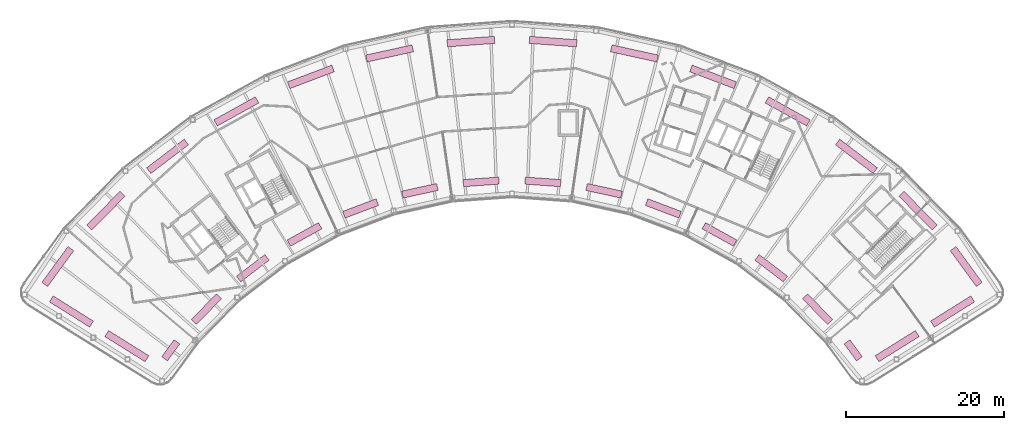
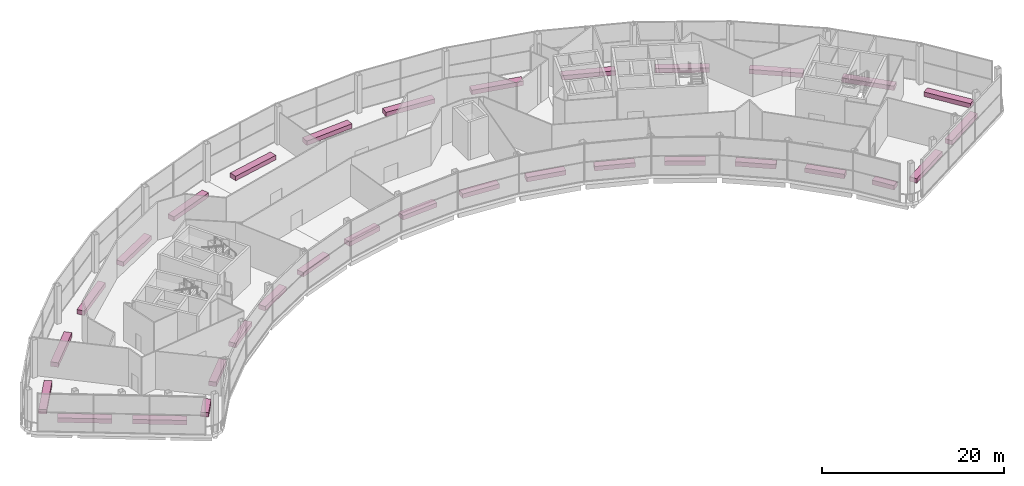
# One storey, part 43 of 43: 32 furnishings.
"""IFC4 building model written with IfcOpenShell, lengths in metres."""

import ifcopenshell
import ifcopenshell.guid

model = None  # the IFC model being written
_history = None  # IfcOwnerHistory: only IFC2X3 demands one
_inside = {}  # id of a spatial element -> (the spatial element, [elements in it])
_under = {}  # id of a project, library or spatial element -> (it, [spatial elements below it])
_declared = {}  # id of a project -> (the project, [libraries it declares])
_typed = {}  # id of a type object -> (the type object, [elements of that type])
_made_of = {}  # id of a material, layer set ... -> (it, [elements and type objects made of it])


def new_model(schema):
    """Start an empty IFC model of exactly this schema.

    Asked for "IFC4X3", IfcOpenShell would pick the latest addendum, in which some entities
    have other attributes; the version numbers below select the first issue.
    IFC2X3 requires an IfcOwnerHistory on every rooted entity: one is made here for all.
    """
    global model, _history
    if schema == "IFC4X3":
        model = ifcopenshell.file(schema_version=(4, 3, 0, 0))
    else:
        model = ifcopenshell.file(schema=schema)
    _inside.clear()
    _under.clear()
    _declared.clear()
    _typed.clear()
    _made_of.clear()
    _history = None
    if model.schema == "IFC2X3":
        org = make("IfcOrganization", Name="unknown")
        user = make(
            "IfcPersonAndOrganization",
            ThePerson=make("IfcPerson", FamilyName="unknown"),
            TheOrganization=org,
        )
        app = make(
            "IfcApplication",
            ApplicationDeveloper=org,
            Version="unknown",
            ApplicationFullName="unknown",
            ApplicationIdentifier="unknown",
        )
        _history = make(
            "IfcOwnerHistory",
            OwningUser=user,
            OwningApplication=app,
            ChangeAction="ADDED",
            CreationDate=0,
        )
    return model


def make(cls, **values):
    """One entity of the class cls with the attributes given. An attribute that is None is left unset."""
    return model.create_entity(
        cls, **{name: value for name, value in values.items() if value is not None}
    )


def rooted(cls, **values):
    """An entity with a GlobalId (a new one), such as an element, a storey or a relation."""
    return make(cls, GlobalId=ifcopenshell.guid.new(), OwnerHistory=_history, **values)


def si_unit(unit_type, name, prefix=None):
    """IfcSIUnit, for example si_unit("LENGTHUNIT", "METRE", prefix="MILLI")."""
    return make("IfcSIUnit", UnitType=unit_type, Prefix=prefix, Name=name)


def assignment(units):
    """IfcUnitAssignment: the units of a project."""
    return None if units is None else make("IfcUnitAssignment", Units=units)


def point(xyz):
    """IfcCartesianPoint."""
    return None if xyz is None else make("IfcCartesianPoint", Coordinates=xyz)


def direction(xyz):
    """IfcDirection."""
    return None if xyz is None else make("IfcDirection", DirectionRatios=xyz)


def frame(location, z_axis=None, x_axis=None):
    """IfcAxis2Placement3D, a coordinate frame: its origin and axes. An axis left out is left unset."""
    return make(
        "IfcAxis2Placement3D",
        Location=point(location),
        Axis=direction(z_axis),
        RefDirection=direction(x_axis),
    )


def frame_2d(location, x_axis=None):
    """IfcAxis2Placement2D, a coordinate frame in the plane: its origin and x axis."""
    return make(
        "IfcAxis2Placement2D", Location=point(location), RefDirection=direction(x_axis)
    )


def origin():
    """The frame at (0, 0, 0) with its axes left unset."""
    return frame((0.0, 0.0, 0.0))


def origin_2d():
    """The frame at (0, 0) in the plane with its x axis left unset."""
    return frame_2d((0.0, 0.0))


def place(relative_to, where):
    """IfcLocalPlacement: puts the frame where relative to a parent placement (None: the world)."""
    return make(
        "IfcLocalPlacement", PlacementRelTo=relative_to, RelativePlacement=where
    )


def context(
    kind, dimensions, precision=None, world=None, true_north=None, identifier=None
):
    """IfcGeometricRepresentationContext, for example the 3D "Model" context."""
    return make(
        "IfcGeometricRepresentationContext",
        ContextIdentifier=identifier,
        ContextType=kind,
        CoordinateSpaceDimension=dimensions,
        Precision=precision,
        WorldCoordinateSystem=world,
        TrueNorth=true_north,
    )


def subcontext(parent, identifier, kind, view, scale=None):
    """IfcGeometricRepresentationSubContext, for example "Body" below "Model"."""
    return make(
        "IfcGeometricRepresentationSubContext",
        ContextIdentifier=identifier,
        ContextType=kind,
        ParentContext=parent,
        TargetScale=scale,
        TargetView=view,
    )


def project(units=None, contexts=None):
    """IfcProject with its units and contexts."""
    return rooted(
        "IfcProject",
        Name="project",
        RepresentationContexts=contexts,
        UnitsInContext=assignment(units),
    )


def spatial(cls, under=None, at=None, **own):
    """A site, building, storey or space (cls), placed at a placement, below another one or the project."""
    s = rooted(cls, ObjectPlacement=at, **own)
    if under is not None:
        _under.setdefault(under.id(), (under, []))[1].append(s)
    return s


def profile(cls, at=None, kind="AREA", **sizes):
    """A parametric profile (cls). Its sizes go by their IFC names, for example OverallWidth=200.0."""
    return make(cls, ProfileType=kind, Position=at, **sizes)


def rectangle(**sizes):
    """IfcRectangleProfileDef."""
    return profile("IfcRectangleProfileDef", **sizes)


def extrude(swept, where, along, depth):
    """IfcExtrudedAreaSolid: the profile swept, set in the frame where, extruded along a direction by depth."""
    return make(
        "IfcExtrudedAreaSolid",
        SweptArea=swept,
        Position=where,
        ExtrudedDirection=direction(along),
        Depth=depth,
    )


def shape(context_of_items, identifier, shape_type, items):
    """IfcShapeRepresentation: the items that make up one representation, for example the "Body"."""
    return make(
        "IfcShapeRepresentation",
        ContextOfItems=context_of_items,
        RepresentationIdentifier=identifier,
        RepresentationType=shape_type,
        Items=items,
    )


def material(Name=None, Category=None):
    """IfcMaterial."""
    return make("IfcMaterial", Name=Name, Category=Category)


def made_of(thing, what):
    """Note that an element or type object is made of a material, layer set ...; save() writes the relation."""
    if what is not None:
        _made_of.setdefault(what.id(), (what, []))[1].append(thing)
    return thing


def type_object(cls, material=None, **own):
    """A type object (cls), such as IfcWallType, which elements share."""
    return made_of(rooted(cls, **own), material)


def element(
    cls,
    number,
    at=None,
    inside=None,
    cuts=None,
    type_object=None,
    material=None,
    context=None,
    identifier="Body",
    shape_type=None,
    held_by="IfcProductDefinitionShape",
    body=None,
    shapes=None,
    **own,
):
    """One element of the class cls, such as IfcWall. Its Tag is "e" and its number.

    at: its placement. inside: the storey or other place that contains it. cuts: it is an
    opening in that element (IfcRelVoidsElement). A single representation is given by context,
    identifier, shape_type and body (its items); several are given by shapes. held_by: the class
    of the entity that holds the representations. save() writes the other relations.
    """
    e = rooted(cls, Tag="e%d" % number, ObjectPlacement=at, **own)
    if body is not None:
        shapes = [shape(context, identifier, shape_type, body)]
    if shapes is not None:
        e.Representation = make(held_by, Representations=shapes)
    if inside is not None:
        _inside.setdefault(inside.id(), (inside, []))[1].append(e)
    if cuts is not None:
        rooted(
            "IfcRelVoidsElement", RelatingBuildingElement=cuts, RelatedOpeningElement=e
        )
    if type_object is not None:
        _typed.setdefault(type_object.id(), (type_object, []))[1].append(e)
    return made_of(e, material)


def aggregate(whole, parts):
    """IfcRelAggregates: a whole, such as a stair, and the parts it consists of."""
    return rooted("IfcRelAggregates", RelatingObject=whole, RelatedObjects=parts)


def save(model, path):
    """Write the relations noted so far, then the file.

    IfcRelAggregates (storeys below a building ...), IfcRelContainedInSpatialStructure (elements
    in a storey), IfcRelDefinesByType, IfcRelAssociatesMaterial and IfcRelDeclares: one each for
    every whole, place, type object, material and project.
    """
    for whole, parts in _under.values():
        aggregate(whole, parts)
    for where, things in _inside.values():
        rooted(
            "IfcRelContainedInSpatialStructure",
            RelatedElements=things,
            RelatingStructure=where,
        )
    for kind, things in _typed.values():
        rooted("IfcRelDefinesByType", RelatedObjects=things, RelatingType=kind)
    for what, things in _made_of.values():
        rooted("IfcRelAssociatesMaterial", RelatedObjects=things, RelatingMaterial=what)
    for by, libraries in _declared.values():
        rooted("IfcRelDeclares", RelatingContext=by, RelatedDefinitions=libraries)
    model.write(path)


model = new_model("IFC4")

# Units and contexts
model_context = context("Model", 3, precision=1e-05, world=origin(), true_north=direction((0.0, 1.0)))
body_context = subcontext(model_context, "Body", "Model", "MODEL_VIEW")
ifc_project = project(units=[si_unit("LENGTHUNIT", "METRE"), si_unit("AREAUNIT", "SQUARE_METRE"), si_unit("VOLUMEUNIT", "CUBIC_METRE"), si_unit("PLANEANGLEUNIT", "RADIAN"), si_unit("MASSUNIT", "GRAM", prefix="KILO")], contexts=[model_context])

# Site, building, storey
site_placement = place(None, origin())
site = spatial("IfcSite", under=ifc_project, at=site_placement, CompositionType="ELEMENT")
building_placement = place(site_placement, origin())
building = spatial("IfcBuilding", under=site, at=building_placement, Name="Tuul Gate Civic Tower", CompositionType="ELEMENT")
storey_placement = place(building_placement, frame((0.0, 0.0, 349.10009765625)))
storey = spatial("IfcBuildingStorey", under=building, at=storey_placement, Name="Observation level 1", CompositionType="ELEMENT", Elevation=349.10009765625)

# Furnishings
ifc_material = material(Name="Planting soil")
furnishing_element_type = type_object("IfcFurnishingElementType", Name="Winter garden planter", material=ifc_material)
furnishing_1_placement = place(storey_placement, frame((59.668212890625, -16.767578125, -0.000244140625), z_axis=(0.0, 0.0, 1.0), x_axis=(-0.589760109881, 0.807578487079, 0.0)))
element("IfcFurnishingElement", 1, at=furnishing_1_placement, inside=storey, type_object=furnishing_element_type, Name="Planter", context=body_context, shape_type="SweptSolid", body=[
    extrude(rectangle(XDim=5.603515625, YDim=0.89990234375, at=origin_2d()), origin(), (0.0, 0.0, 1.0), 0.60009765625),
])
for number, where, z_axis, x_axis, name in (
    (2, (53.576904296875, -9.70068359375, -0.000244140625), (0.0, 0.0, 1.0), (-0.700043488595, 0.714100212908, 0.0), "Planter"),
    (3, (45.78173828125, -2.8212890625, -0.000244140625), (0.0, 0.0, 1.0), (-0.795611180684, 0.605807600786, 0.0), "Planter"),
    (4, (37.076416015625, 2.86279296875, -0.000244140625), (0.0, 0.0, 1.0), (-0.874631068374, 0.48478912347, 0.0), "Planter"),
    (5, (27.642822265625, 7.233154296875, -0.000244140625), (0.0, 0.0, 1.0), (-0.935346200905, 0.35373363489, 0.0), "Planter"),
    (6, (17.677978515625, 10.198486328125, -0.000244140625), (0.0, 0.0, 1.0), (-0.976566659334, 0.215215147882, 0.0), "Planter"),
    (7, (7.39013671875, 11.69677734375, -0.000244140625), (0.0, 0.0, 1.0), (-0.997387323989, 0.07223936563, 0.0), "Planter"),
    (8, (-3.006103515625, 11.69677734375, -0.000244140625), (0.0, 0.0, 1.0), (-0.997387323989, -0.07223936563, 0.0), "Planter"),
    (9, (-13.2939453125, 10.198486328125, -0.000244140625), (0.0, 0.0, 1.0), (-0.976566659334, -0.215215147882, 0.0), "Planter"),
    (10, (-23.2587890625, 7.233154296875, -0.000244140625), (0.0, 0.0, 1.0), (-0.935346200905, -0.35373363489, 0.0), "Planter"),
    (11, (-32.6923828125, 2.86279296875, -0.000244140625), (0.0, 0.0, 1.0), (-0.874631068374, -0.48478912347, 0.0), "Planter"),
    (12, (-41.397705078125, -2.8212890625, -0.000244140625), (0.0, 0.0, 1.0), (-0.795611180684, -0.605807600786, 0.0), "Planter"),
    (13, (-49.19287109375, -9.70068359375, -0.000244140625), (0.0, 0.0, 1.0), (-0.700043488595, -0.714100212908, 0.0), "Planter"),
):
    element("IfcFurnishingElement", number, at=place(storey_placement, frame(where, z_axis=z_axis, x_axis=x_axis)), inside=storey, type_object=furnishing_element_type, Name=name, context=body_context, shape_type="SweptSolid", body=[
        extrude(rectangle(XDim=6.0, YDim=0.89990234375, at=origin_2d()), origin(), (0.0, 0.0, 1.0), 0.60009765625),
    ])
furnishing_2_placement = place(storey_placement, frame((-55.284423828125, -16.767578125, -0.000244140625), z_axis=(0.0, 0.0, 1.0), x_axis=(-0.589760109881, -0.807578487079, 0.0)))
element("IfcFurnishingElement", 14, at=furnishing_2_placement, inside=storey, type_object=furnishing_element_type, Name="Planter", context=body_context, shape_type="SweptSolid", body=[
    extrude(rectangle(XDim=5.603515625, YDim=0.89990234375, at=origin_2d()), origin(), (0.0, 0.0, 1.0), 0.60009765625),
])
for number, where, z_axis, x_axis, name in (
    (15, (-53.562744140625, -22.46044921875, -0.000244140625), (0.0, 0.0, 1.0), (0.848052818366, -0.529911707044, 0.0), "Planter"),
    (16, (-46.545654296875, -26.844970703125, -0.000244140625), (0.0, 0.0, 1.0), (0.848052818366, -0.529911707044, 0.0), "Planter"),
):
    element("IfcFurnishingElement", number, at=place(storey_placement, frame(where, z_axis=z_axis, x_axis=x_axis)), inside=storey, type_object=furnishing_element_type, Name=name, context=body_context, shape_type="SweptSolid", body=[
        extrude(rectangle(XDim=6.0, YDim=0.89990234375, at=origin_2d()), origin(), (0.0, 0.0, 1.0), 0.60009765625),
    ])
furnishing_3_placement = place(storey_placement, frame((-40.9892578125, -27.3740234375, -0.000244140625), z_axis=(0.0, 0.0, 1.0), x_axis=(0.589737236717, 0.807595190444, 0.0)))
element("IfcFurnishingElement", 17, at=furnishing_3_placement, inside=storey, type_object=furnishing_element_type, Name="Planter", context=body_context, shape_type="SweptSolid", body=[
    extrude(rectangle(XDim=2.655029296875, YDim=0.89990234375, at=origin_2d()), origin(), (0.0, 0.0, 1.0), 0.60009765625),
])
furnishing_4_placement = place(storey_placement, frame((-36.4814453125, -22.160888671875, -0.000244140625), z_axis=(0.0, 0.0, 1.0), x_axis=(0.700096651008, 0.714048093092, 0.0)))
element("IfcFurnishingElement", 18, at=furnishing_4_placement, inside=storey, type_object=furnishing_element_type, Name="Planter", context=body_context, shape_type="SweptSolid", body=[
    extrude(rectangle(XDim=4.526123046875, YDim=0.89990234375, at=origin_2d()), origin(), (0.0, 0.0, 1.0), 0.60009765625),
])
for number, where, z_axis, x_axis, name in (
    (19, (-30.614990234375, -16.983642578125, -0.000244140625), (0.0, 0.0, 1.0), (0.795578092914, 0.605851052715, 0.0), "Planter"),
    (20, (-24.06298828125, -12.705322265625, -0.000244140625), (0.0, 0.0, 1.0), (0.874620635875, 0.48480794476, 0.0), "Planter"),
):
    element("IfcFurnishingElement", number, at=place(storey_placement, frame(where, z_axis=z_axis, x_axis=x_axis)), inside=storey, type_object=furnishing_element_type, Name=name, context=body_context, shape_type="SweptSolid", body=[
        extrude(rectangle(XDim=4.526611328125, YDim=0.89990234375, at=origin_2d()), origin(), (0.0, 0.0, 1.0), 0.60009765625),
    ])
for number, where, z_axis, x_axis, name in (
    (21, (-16.963134765625, -9.416259765625, -0.000244140625), (0.0, 0.0, 1.0), (0.935364679597, 0.353684769481, 0.0), "Planter"),
    (22, (-9.463623046875, -7.1845703125, -0.000244140625), (0.0, 0.0, 1.0), (0.976560749849, 0.215241961183, 0.0), "Planter"),
):
    element("IfcFurnishingElement", number, at=place(storey_placement, frame(where, z_axis=z_axis, x_axis=x_axis)), inside=storey, type_object=furnishing_element_type, Name=name, context=body_context, shape_type="SweptSolid", body=[
        extrude(rectangle(XDim=4.5263671875, YDim=0.89990234375, at=origin_2d()), origin(), (0.0, 0.0, 1.0), 0.60009765625),
    ])
for number, where, z_axis, x_axis, name in (
    (23, (-1.720458984375, -6.056640625, -0.000244140625), (0.0, 0.0, 1.0), (0.997384657179, 0.072276176045, 0.0), "Planter"),
    (24, (6.1044921875, -6.056640625, -0.000244140625), (0.0, 0.0, 1.0), (0.997384657179, -0.072276176045, 0.0), "Planter"),
):
    element("IfcFurnishingElement", number, at=place(storey_placement, frame(where, z_axis=z_axis, x_axis=x_axis)), inside=storey, type_object=furnishing_element_type, Name=name, context=body_context, shape_type="SweptSolid", body=[
        extrude(rectangle(XDim=4.526611328125, YDim=0.89990234375, at=origin_2d()), origin(), (0.0, 0.0, 1.0), 0.60009765625),
    ])
for number, where, z_axis, x_axis, name in (
    (25, (13.847412109375, -7.1845703125, -0.000244140625), (0.0, 0.0, 1.0), (0.976560749849, -0.215241961183, 0.0), "Planter"),
    (26, (21.34716796875, -9.416259765625, -0.000244140625), (0.0, 0.0, 1.0), (0.935364679597, -0.353684769481, 0.0), "Planter"),
):
    element("IfcFurnishingElement", number, at=place(storey_placement, frame(where, z_axis=z_axis, x_axis=x_axis)), inside=storey, type_object=furnishing_element_type, Name=name, context=body_context, shape_type="SweptSolid", body=[
        extrude(rectangle(XDim=4.5263671875, YDim=0.89990234375, at=origin_2d()), origin(), (0.0, 0.0, 1.0), 0.60009765625),
    ])
for number, where, z_axis, x_axis, name in (
    (27, (28.447021484375, -12.705322265625, -0.000244140625), (0.0, 0.0, 1.0), (0.874620635875, -0.48480794476, 0.0), "Planter"),
    (28, (34.998779296875, -16.983642578125, -0.000244140625), (0.0, 0.0, 1.0), (0.795578092914, -0.605851052715, 0.0), "Planter"),
):
    element("IfcFurnishingElement", number, at=place(storey_placement, frame(where, z_axis=z_axis, x_axis=x_axis)), inside=storey, type_object=furnishing_element_type, Name=name, context=body_context, shape_type="SweptSolid", body=[
        extrude(rectangle(XDim=4.526611328125, YDim=0.89990234375, at=origin_2d()), origin(), (0.0, 0.0, 1.0), 0.60009765625),
    ])
furnishing_5_placement = place(storey_placement, frame((40.865478515625, -22.160888671875, -0.000244140625), z_axis=(0.0, 0.0, 1.0), x_axis=(0.700096651008, -0.714048093092, 0.0)))
element("IfcFurnishingElement", 29, at=furnishing_5_placement, inside=storey, type_object=furnishing_element_type, Name="Planter", context=body_context, shape_type="SweptSolid", body=[
    extrude(rectangle(XDim=4.526123046875, YDim=0.89990234375, at=origin_2d()), origin(), (0.0, 0.0, 1.0), 0.60009765625),
])
furnishing_6_placement = place(storey_placement, frame((45.373291015625, -27.3740234375, -0.000244140625), z_axis=(0.0, 0.0, 1.0), x_axis=(0.589737236717, -0.807595190444, 0.0)))
element("IfcFurnishingElement", 30, at=furnishing_6_placement, inside=storey, type_object=furnishing_element_type, Name="Planter", context=body_context, shape_type="SweptSolid", body=[
    extrude(rectangle(XDim=2.655029296875, YDim=0.89990234375, at=origin_2d()), origin(), (0.0, 0.0, 1.0), 0.60009765625),
])
for number, where, z_axis, x_axis, name in (
    (31, (50.9296875, -26.844970703125, -0.000244140625), (0.0, 0.0, 1.0), (0.848052818366, 0.529911707044, 0.0), "Planter"),
    (32, (57.94677734375, -22.46044921875, -0.000244140625), (0.0, 0.0, 1.0), (0.848052818366, 0.529911707044, 0.0), "Planter"),
):
    element("IfcFurnishingElement", number, at=place(storey_placement, frame(where, z_axis=z_axis, x_axis=x_axis)), inside=storey, type_object=furnishing_element_type, Name=name, context=body_context, shape_type="SweptSolid", body=[
        extrude(rectangle(XDim=6.0, YDim=0.89990234375, at=origin_2d()), origin(), (0.0, 0.0, 1.0), 0.60009765625),
    ])

save(model, "model.ifc")
